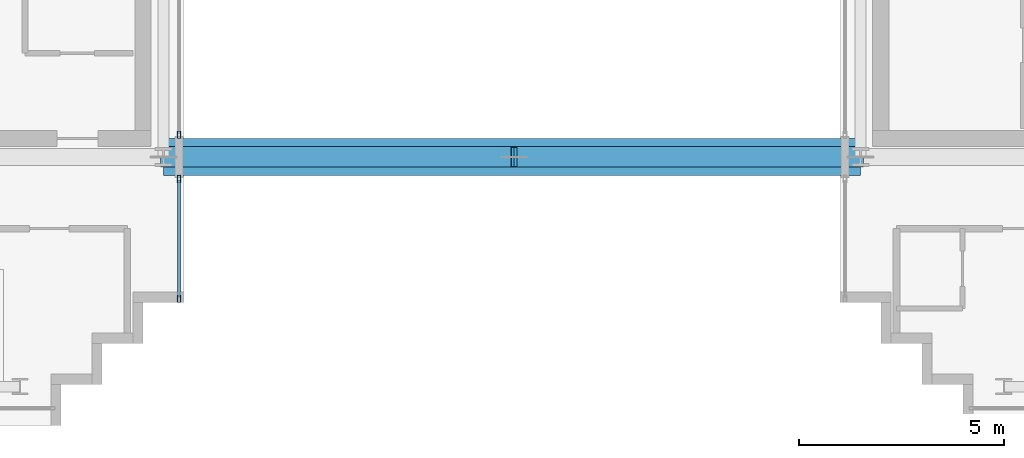
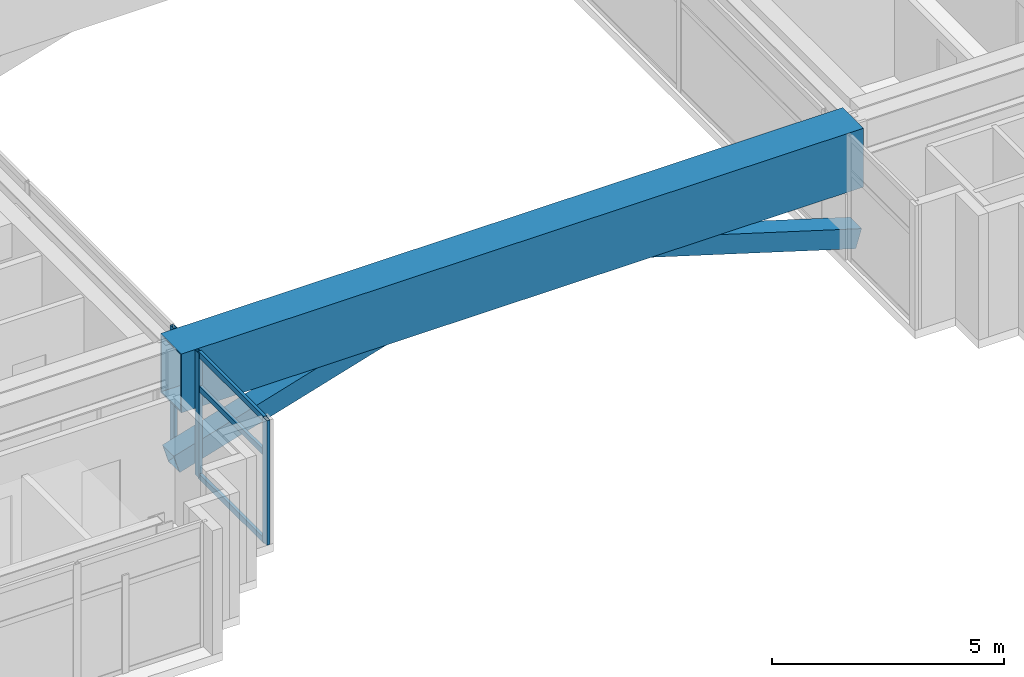
# One storey, part 4 of 28: 8 members, 1 beam, 2 elements without a shape of their own.
"""IFC4 building model written with IfcOpenShell, lengths in metres."""

from ifc_helpers import new_model, si_unit, direction, frame, origin, origin_2d, place, context, subcontext, project, spatial, hollow_rectangle, extrude, source, transform, mapped, material, layer, layer_set, material_profile, profile_set, type_object, element, aggregate, save


model = new_model("IFC4")

# Units and contexts
model_context = context("Model", 3, precision=1e-05, world=origin(), true_north=direction((0.0, 1.0)))
body_context = subcontext(model_context, "Body", "Model", "MODEL_VIEW")
ifc_project = project(units=[si_unit("LENGTHUNIT", "METRE"), si_unit("AREAUNIT", "SQUARE_METRE"), si_unit("VOLUMEUNIT", "CUBIC_METRE"), si_unit("PLANEANGLEUNIT", "RADIAN"), si_unit("MASSUNIT", "GRAM", prefix="KILO")], contexts=[model_context])

# Site, building, storey
site_placement = place(None, origin())
site = spatial("IfcSite", under=ifc_project, at=site_placement, CompositionType="ELEMENT")
building_placement = place(site_placement, origin())
building = spatial("IfcBuilding", under=site, at=building_placement, Name="Ocotamira Hotel", CompositionType="ELEMENT")
storey_placement = place(building_placement, frame((0.0, 0.0, 268.800048828125)))
storey = spatial("IfcBuildingStorey", under=building, at=storey_placement, Name="L68", CompositionType="ELEMENT", Elevation=268.800048828125)

# Beam
ifc_material_1 = material(Name="Steel ASTM A913 Grade 65", Category="steel")
ifc_material_profile_1 = material_profile(ifc_material_1, hollow_rectangle(XDim=0.89990234375, YDim=1.550048828125, WallThickness=0.0400390625, at=origin_2d()), Name="BOX900X1550X40")
ifc_profile_set_1 = profile_set([ifc_material_profile_1], Name="Steel ASTM A913 Grade 65")
beam_type = type_object("IfcBeamType", Name="BM-XFER-BOX1550", PredefinedType="BEAM", material=ifc_profile_set_1)
shared_shape_1 = source(origin(), body_context, "Body", "SweptSolid", [
    extrude(hollow_rectangle(XDim=0.89990234375, YDim=1.550048828125, WallThickness=0.0400390625, at=origin_2d()), origin(), (0.0, 0.0, 1.0), 17.0),
])
beam_placement = place(storey_placement, frame((23.5, 14.550048828125, 2.5048828125), z_axis=(1.0, 0.0, 0.0), x_axis=(0.0, 1.0, 0.0)))
element("IfcBeam", 1, at=beam_placement, inside=storey, type_object=beam_type, Name="L68 Girder Y14.55 X23.5-40.5", PredefinedType="BEAM", context=body_context, shape_type="MappedRepresentation", body=[
    mapped(shared_shape_1, transform((0.0, 0.0, 0.0), scale=1.0)),
])

# Members
ifc_material_profile_2 = material_profile(ifc_material_1, hollow_rectangle(XDim=0.5, YDim=0.5, WallThickness=0.02001953125, at=origin_2d()), Name="HSS500X500X20")
ifc_profile_set_2 = profile_set([ifc_material_profile_2], Name="Steel ASTM A913 Grade 65")
member_type_1 = type_object("IfcMemberType", Name="MEM-OUT-HSS500", PredefinedType="BRACE", material=ifc_profile_set_2)
shared_shape_2 = source(origin(), body_context, "Body", "SweptSolid", [
    extrude(hollow_rectangle(XDim=0.5, YDim=0.5, WallThickness=0.02001953125, at=origin_2d()), origin(), (0.0, 0.0, 1.0), 8.9306640625),
])
member_1_placement = place(storey_placement, frame((23.5, 14.550048828125, 0.25), z_axis=(0.957368372311, 0.0, 0.288869866372), x_axis=(0.0, 1.0, 0.0)))
element("IfcMember", 2, at=member_1_placement, inside=storey, type_object=member_type_1, Name="L68 Peak Transfer Truss Web 1 Y14", PredefinedType="BRACE", context=body_context, shape_type="MappedRepresentation", body=[
    mapped(shared_shape_2, transform((0.0, 0.0, 0.0), scale=1.0)),
])
shared_shape_3 = source(origin(), body_context, "Body", "SweptSolid", [
    extrude(hollow_rectangle(XDim=0.5, YDim=0.5, WallThickness=0.02001953125, at=origin_2d()), origin(), (0.0, 0.0, 1.0), 8.8349609375),
])
member_2_placement = place(storey_placement, frame((40.5, 14.550048828125, 0.25), z_axis=(-0.956417831382, 0.0, 0.292001595568), x_axis=(0.0, -1.0, 0.0)))
element("IfcMember", 3, at=member_2_placement, inside=storey, type_object=member_type_1, Name="L68 Peak Transfer Truss Web 2 Y14", PredefinedType="BRACE", context=body_context, shape_type="MappedRepresentation", body=[
    mapped(shared_shape_3, transform((0.0, 0.0, 0.0), scale=1.0)),
])

# Curtain wall, members
ifc_material_2 = material(Name="Anodised pale-metal aluminium and solar glass", Category="aluminium")
ifc_layer = layer(ifc_material_2, 0.2099609375)
ifc_layer_set = layer_set([ifc_layer], Name="Anodised pale-metal aluminium and solar glass")
curtain_wall_type = type_object("IfcCurtainWallType", Name="CW-SYS7-PEAK", PredefinedType="NOTDEFINED", material=ifc_layer_set)
curtain_wall_1_placement = place(storey_placement, origin())
curtain_wall_1 = element("IfcCurtainWall", 4, at=curtain_wall_1_placement, inside=storey, type_object=curtain_wall_type, Name="L68 Curtain Wall CW-7 CW-L68-WI1", PredefinedType="NOTDEFINED")
ifc_material_3 = material(Name="Anodised pale-metal aluminium 6063-T6", Category="aluminium")
ifc_material_profile_3 = material_profile(ifc_material_3, hollow_rectangle(XDim=0.080078125, YDim=0.179931640625, WallThickness=0.006103515625, at=origin_2d()), Name="HSS180X80X6")
ifc_profile_set_3 = profile_set([ifc_material_profile_3], Name="Anodised pale-metal aluminium 6063-T6")
member_type_2 = type_object("IfcMemberType", Name="CWM-180X75", PredefinedType="MULLION", material=ifc_profile_set_3)
shared_shape_4 = source(origin(), body_context, "Body", "SweptSolid", [
    extrude(hollow_rectangle(XDim=0.080078125, YDim=0.179931640625, WallThickness=0.006103515625, at=origin_2d()), origin(), (0.0, 0.0, 1.0), 3.280029296875),
])
member_3_placement = place(storey_placement, frame((23.8798828125, 11.090087890625, 0.0), z_axis=(0.0, 0.0, 1.0), x_axis=(-1.0, 0.0, 0.0)))
member_3 = element("IfcMember", 5, at=member_3_placement, type_object=member_type_2, Name="CW-7 mullion 1", PredefinedType="MULLION", context=body_context, shape_type="MappedRepresentation", body=[
    mapped(shared_shape_4, transform((0.0, 0.0, 0.0), scale=1.0)),
])
member_4_placement = place(storey_placement, frame((23.8798828125, 14.010009765625, 0.0), z_axis=(0.0, 0.0, 1.0), x_axis=(-1.0, 0.0, 0.0)))
member_4 = element("IfcMember", 6, at=member_4_placement, type_object=member_type_2, Name="CW-7 mullion 2", PredefinedType="MULLION", context=body_context, shape_type="MappedRepresentation", body=[
    mapped(shared_shape_4, transform((0.0, 0.0, 0.0), scale=1.0)),
])

# Curtain wall, member
curtain_wall_2_placement = place(storey_placement, origin())
curtain_wall_2 = element("IfcCurtainWall", 7, at=curtain_wall_2_placement, inside=storey, type_object=curtain_wall_type, Name="L68 Curtain Wall CW-7 CW-L68-WI2", PredefinedType="NOTDEFINED")
member_5_placement = place(storey_placement, frame((23.8798828125, 15.090087890625, 0.0), z_axis=(0.0, 0.0, 1.0), x_axis=(-1.0, 0.0, 0.0)))
member_5 = element("IfcMember", 8, at=member_5_placement, type_object=member_type_2, Name="CW-7 mullion 1", PredefinedType="MULLION", context=body_context, shape_type="MappedRepresentation", body=[
    mapped(shared_shape_4, transform((0.0, 0.0, 0.0), scale=1.0)),
])
aggregate(curtain_wall_2, [member_5])

# Member
ifc_material_profile_4 = material_profile(ifc_material_3, hollow_rectangle(XDim=0.074951171875, YDim=0.14990234375, WallThickness=0.006103515625, at=origin_2d()), Name="HSS150X75X6")
ifc_profile_set_4 = profile_set([ifc_material_profile_4], Name="Anodised pale-metal aluminium 6063-T6")
member_type_3 = type_object("IfcMemberType", Name="CWT-150X75", PredefinedType="USERDEFINED", material=ifc_profile_set_4)
shared_shape_5 = source(origin(), body_context, "Body", "SweptSolid", [
    extrude(hollow_rectangle(XDim=0.074951171875, YDim=0.14990234375, WallThickness=0.006103515625, at=origin_2d()), origin(), (0.0, 0.0, 1.0), 2.840087890625),
])
member_6_placement = place(storey_placement, frame((23.8798828125, 11.1298828125, 0.037353515625), z_axis=(0.0, 1.0, 0.0), x_axis=(-1.0, 0.0, 0.0)))
member_6 = element("IfcMember", 9, at=member_6_placement, type_object=member_type_3, Name="CW-7 transom 1.1", ObjectType="TRANSOM", PredefinedType="USERDEFINED", context=body_context, shape_type="MappedRepresentation", body=[
    mapped(shared_shape_5, transform((0.0, 0.0, 0.0), scale=1.0)),
])

member_7_placement = place(storey_placement, frame((23.8798828125, 11.1298828125, 2.349853515625), z_axis=(0.0, 1.0, 0.0), x_axis=(-1.0, 0.0, 0.0)))
member_7 = element("IfcMember", 10, at=member_7_placement, type_object=member_type_3, Name="CW-7 transom 1.2", ObjectType="TRANSOM", PredefinedType="USERDEFINED", context=body_context, shape_type="MappedRepresentation", body=[
    mapped(shared_shape_5, transform((0.0, 0.0, 0.0), scale=1.0)),
])

member_8_placement = place(storey_placement, frame((23.8798828125, 11.1298828125, 3.242431640625), z_axis=(0.0, 1.0, 0.0), x_axis=(-1.0, 0.0, 0.0)))
member_8 = element("IfcMember", 11, at=member_8_placement, type_object=member_type_3, Name="CW-7 transom 1.3", ObjectType="TRANSOM", PredefinedType="USERDEFINED", context=body_context, shape_type="MappedRepresentation", body=[
    mapped(shared_shape_5, transform((0.0, 0.0, 0.0), scale=1.0)),
])

aggregate(curtain_wall_1, [member_3, member_4, member_6, member_7, member_8])

save(model, "model.ifc")
